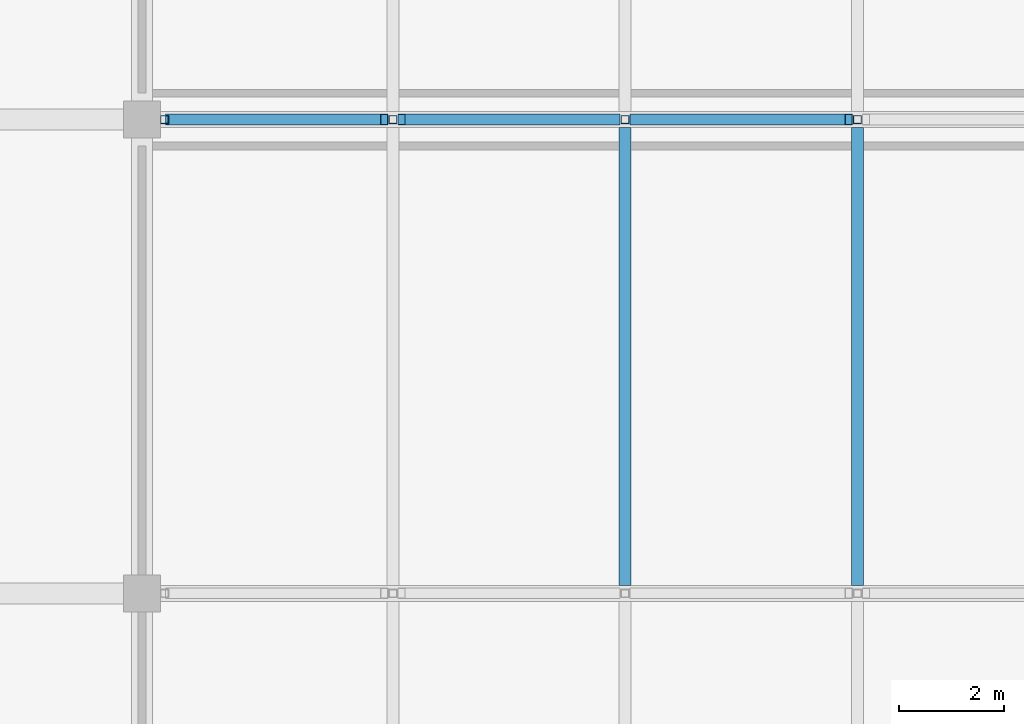
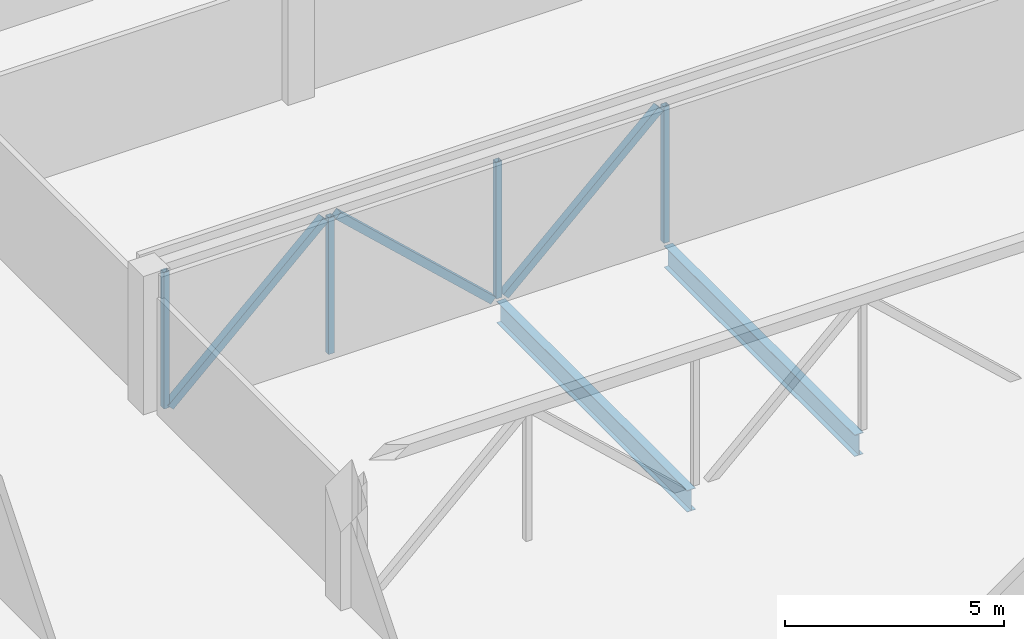
# One storey, part 14 of 42: 7 members, 2 beams.
"""IFC4 building model written with IfcOpenShell, lengths in metres."""

from ifc_helpers import new_model, si_unit, direction, frame, origin, origin_2d, place, context, subcontext, project, spatial, hollow_rectangle, i_section, extrude, material, material_profile, profile_set, type_object, element, save


model = new_model("IFC4")

# Units and contexts
model_context = context("Model", 3, precision=1e-05, world=origin(), true_north=direction((0.0, 1.0)))
body_context = subcontext(model_context, "Body", "Model", "MODEL_VIEW")
ifc_project = project(units=[si_unit("LENGTHUNIT", "METRE"), si_unit("AREAUNIT", "SQUARE_METRE"), si_unit("VOLUMEUNIT", "CUBIC_METRE"), si_unit("PLANEANGLEUNIT", "RADIAN"), si_unit("MASSUNIT", "GRAM", prefix="KILO")], contexts=[model_context])

# Site, building, storey
site_placement = place(None, origin())
site = spatial("IfcSite", under=ifc_project, at=site_placement, CompositionType="ELEMENT")
building_placement = place(site_placement, origin())
building = spatial("IfcBuilding", under=site, at=building_placement, Name="Corbel Stack Research Tower", CompositionType="ELEMENT")
storey_placement = place(building_placement, frame((0.0, 0.0, 11.300048828125)))
storey = spatial("IfcBuildingStorey", under=building, at=storey_placement, Name="L02", CompositionType="ELEMENT", Elevation=11.300048828125)

# Beams
ifc_material_1 = material(Name="Steel S355", Category="steel")
ifc_material_profile_1 = material_profile(ifc_material_1, i_section(OverallWidth=0.22802734375, OverallDepth=0.60302734375, WebThickness=0.010986328125, FlangeThickness=0.014892578125, at=origin_2d()), Name="W24x68")
ifc_profile_set_1 = profile_set([ifc_material_profile_1], Name="Steel S355")
beam_type = type_object("IfcBeamType", Name="HB2 steel beam W24x68", PredefinedType="BEAM", material=ifc_profile_set_1)
for number, where, z_axis, x_axis, name in (
    (1, (60.125, 0.152587890625, -0.551513671875), (0.0, 1.0, 0.0), (-1.0, 0.0, 0.0), "Steel floor beam L02 bay 3 line 2"),
    (2, (64.53759765625, 0.152587890625, -0.551513671875), (0.0, 1.0, 0.0), (-1.0, 0.0, 0.0), "Steel floor beam L02 bay 3 line 3"),
):
    element("IfcBeam", number, at=place(storey_placement, frame(where, z_axis=z_axis, x_axis=x_axis)), inside=storey, type_object=beam_type, Name=name, PredefinedType="BEAM", context=body_context, shape_type="SweptSolid", body=[
        extrude(i_section(OverallWidth=0.22802734375, OverallDepth=0.60302734375, WebThickness=0.010986328125, FlangeThickness=0.014892578125, at=origin_2d()), origin(), (0.0, 0.0, 1.0), 8.69482421875),
    ])

# Members
ifc_material_2 = material(Name="Steel S355", Category="steel")
ifc_material_profile_2 = material_profile(ifc_material_2, hollow_rectangle(XDim=0.202880859375, YDim=0.202880859375, WallThickness=0.0087890625, at=origin_2d()), Name="HSS8x8x3/8")
ifc_profile_set_2 = profile_set([ifc_material_profile_2], Name="Steel S355")
member_type_1 = type_object("IfcMemberType", Name="HT2 truss diagonal HSS8x8x3/8", PredefinedType="BRACE", material=ifc_profile_set_2)
for number, where, z_axis, x_axis, name in (
    (3, (51.464111328125, 9.0, -0.25), (0.732576659872, 0.0, 0.680684535898), (0.0, 1.0, 0.0), "Truss TA3 diagonal 1"),
    (4, (55.876708984375, 9.0, 3.544921875), (0.732576659872, 0.0, -0.680684535898), (0.0, 1.0, 0.0), "Truss TA3 diagonal 2"),
    (5, (60.2890625, 9.0, -0.25), (0.732576659872, 0.0, 0.680684535898), (0.0, 1.0, 0.0), "Truss TA3 diagonal 3"),
):
    element("IfcMember", number, at=place(storey_placement, frame(where, z_axis=z_axis, x_axis=x_axis)), inside=storey, type_object=member_type_1, Name=name, PredefinedType="BRACE", context=body_context, shape_type="SweptSolid", body=[
        extrude(hollow_rectangle(XDim=0.202880859375, YDim=0.202880859375, WallThickness=0.0087890625, at=origin_2d()), origin(), (0.0, 0.0, 1.0), 5.5751953125),
    ])
ifc_material_3 = material(Name="Steel S355", Category="steel")
ifc_material_profile_3 = material_profile(ifc_material_3, hollow_rectangle(XDim=0.152099609375, YDim=0.152099609375, WallThickness=0.005859375, at=origin_2d()), Name="HSS6x6x1/4")
ifc_profile_set_3 = profile_set([ifc_material_profile_3], Name="Steel S355")
member_type_2 = type_object("IfcMemberType", Name="HT3 truss post HSS6x6x1/4", PredefinedType="POST", material=ifc_profile_set_3)
for number, where, z_axis, x_axis, name in (
    (6, (51.3759765625, 9.0, -0.25), (0.0, 0.0, 1.0), (1.0, 0.0, 0.0), "Truss TA3 post 1"),
    (7, (55.71240234375, 9.0, -0.25), (0.0, 0.0, 1.0), (1.0, 0.0, 0.0), "Truss TA3 post 2"),
    (8, (60.125, 9.0, -0.25), (0.0, 0.0, 1.0), (1.0, 0.0, 0.0), "Truss TA3 post 3"),
    (9, (64.53759765625, 9.0, -0.25), (0.0, 0.0, 1.0), (1.0, 0.0, 0.0), "Truss TA3 post 4"),
):
    element("IfcMember", number, at=place(storey_placement, frame(where, z_axis=z_axis, x_axis=x_axis)), inside=storey, type_object=member_type_2, Name=name, PredefinedType="POST", context=body_context, shape_type="SweptSolid", body=[
        extrude(hollow_rectangle(XDim=0.152099609375, YDim=0.152099609375, WallThickness=0.005859375, at=origin_2d()), origin(), (0.0, 0.0, 1.0), 3.794921875),
    ])

save(model, "model.ifc")
